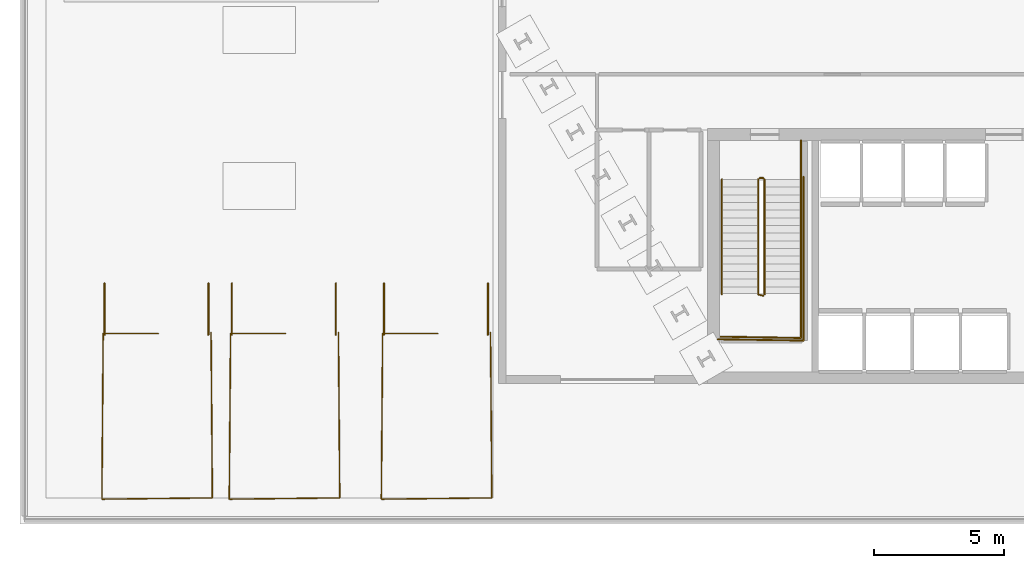
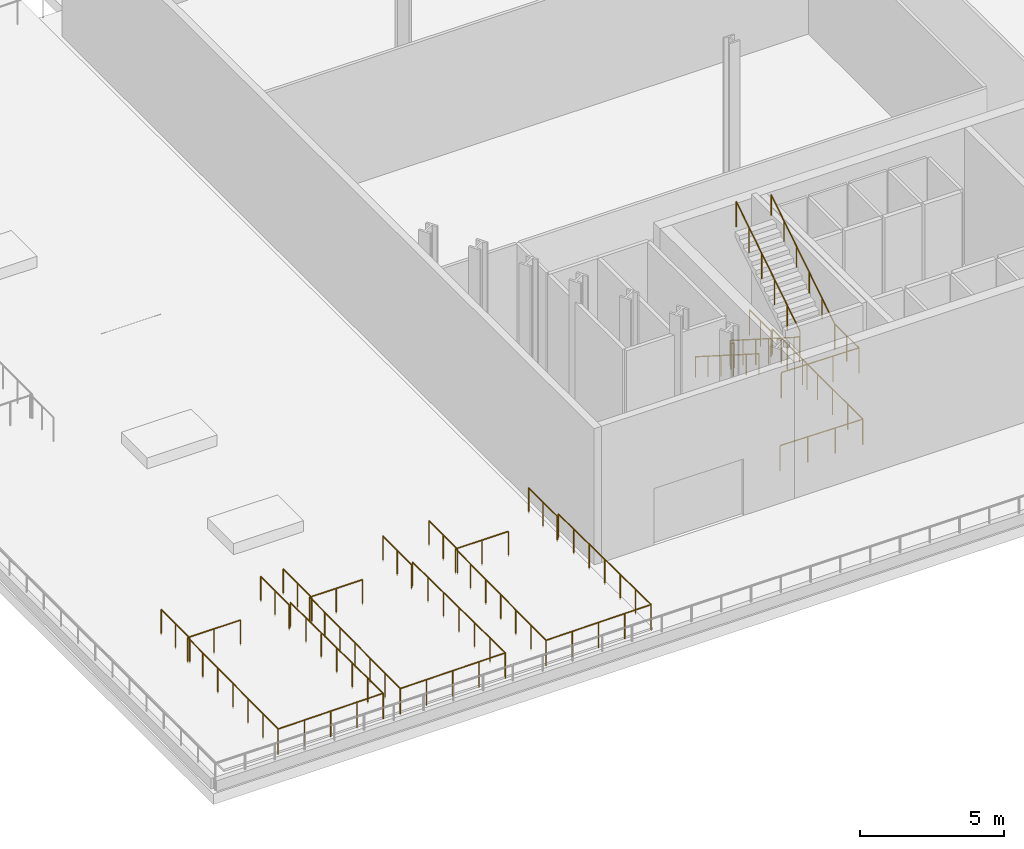
# One storey, part 8 of 13: 17 railings.
"""IFC4 building model written with IfcOpenShell, lengths in metres."""

from ifc_helpers import new_model, si_unit, direction, frame, origin, origin_2d, place, context, subcontext, project, spatial, circle, extrude, material, layer, layer_set, type_object, element, save


model = new_model("IFC4")

# Units and contexts
model_context = context("Model", 3, precision=1e-05, world=origin(), true_north=direction((0.0, 1.0)))
body_context = subcontext(model_context, "Body", "Model", "MODEL_VIEW")
ifc_project = project(units=[si_unit("LENGTHUNIT", "METRE"), si_unit("AREAUNIT", "SQUARE_METRE"), si_unit("VOLUMEUNIT", "CUBIC_METRE"), si_unit("PLANEANGLEUNIT", "RADIAN"), si_unit("MASSUNIT", "GRAM", prefix="KILO")], contexts=[model_context])

# Site, building, storey
site_placement = place(None, origin())
site = spatial("IfcSite", under=ifc_project, at=site_placement, CompositionType="ELEMENT")
building_placement = place(site_placement, origin())
building = spatial("IfcBuilding", under=site, at=building_placement, Name="Ndaravel Arena Tower", CompositionType="ELEMENT")
storey_placement = place(building_placement, frame((0.0, 0.0, 30.0)))
storey = spatial("IfcBuildingStorey", under=building, at=storey_placement, Name="L05", CompositionType="ELEMENT", Elevation=30.0)

# Railings
ifc_material_1 = material(Name="Steel S355", Category="steel")
ifc_layer_1 = layer(ifc_material_1, 0.06005859375)
ifc_layer_set_1 = layer_set([ifc_layer_1], Name="Steel S355")
railing_type_1 = type_object("IfcRailingType", Name="RAIL-STAIR-GD1100", PredefinedType="GUARDRAIL", material=ifc_layer_set_1)
railing_1_placement = place(storey_placement, frame((28.39990234375, 13.25, 0.1875)))
element("IfcRailing", 1, at=railing_1_placement, inside=storey, type_object=railing_type_1, Name="L05 ST-1 stair guard 1", PredefinedType="GUARDRAIL", context=body_context, shape_type="SweptSolid", body=[
    extrude(circle(Radius=0.02392578125, at=origin_2d()), frame((0.0, 0.0, 1.076171875), z_axis=(0.0, -0.843958541447, 0.536408408136), x_axis=(1.0, 0.0, 0.0)), (0.0, 0.0, 1.0), 5.2431640625),
    extrude(circle(Radius=0.02392578125, at=origin_2d()), frame((0.0, -4.425048828125, 3.888671875), z_axis=(0.967074537263, -0.25449329928, 0.0), x_axis=(0.25449329928, 0.967074537263, 0.0)), (0.0, 0.0, 1.0), 0.19677734375),
    extrude(circle(Radius=0.02099609375, at=origin_2d()), origin(), (0.0, 0.0, 1.0), 1.052001953125),
    extrude(circle(Radius=0.02099609375, at=origin_2d()), frame((0.0, -0.885009765625, 0.5625)), (0.0, 0.0, 1.0), 1.052001953125),
    extrude(circle(Radius=0.02099609375, at=origin_2d()), frame((0.0, -1.77001953125, 1.125)), (0.0, 0.0, 1.0), 1.052001953125),
    extrude(circle(Radius=0.02099609375, at=origin_2d()), frame((0.0, -2.655029296875, 1.6875)), (0.0, 0.0, 1.0), 1.052001953125),
    extrude(circle(Radius=0.02099609375, at=origin_2d()), frame((0.0, -3.5400390625, 2.25)), (0.0, 0.0, 1.0), 1.052001953125),
    extrude(circle(Radius=0.02099609375, at=origin_2d()), frame((0.0, -4.425048828125, 2.8125)), (0.0, 0.0, 1.0), 1.052001953125),
    extrude(circle(Radius=0.02099609375, at=origin_2d()), frame((0.190185546875, -4.47509765625, 2.8125)), (0.0, 0.0, 1.0), 1.052001953125),
])
railing_2_placement = place(storey_placement, frame((30.0400390625, 8.824951171875, 3.0)))
element("IfcRailing", 2, at=railing_2_placement, inside=storey, type_object=railing_type_1, Name="L05 ST-1 stair guard 2", PredefinedType="GUARDRAIL", context=body_context, shape_type="SweptSolid", body=[
    extrude(circle(Radius=0.02392578125, at=origin_2d()), frame((0.0, 0.0, 1.076171875), z_axis=(0.0, -1.0, 0.0), x_axis=(1.0, 0.0, 0.0)), (0.0, 0.0, 1.0), 1.675048828125),
    extrude(circle(Radius=0.02392578125, at=origin_2d()), frame((0.0, -1.675048828125, 1.076171875), z_axis=(-0.999868861343, 0.016194447071, 0.0), x_axis=(-0.016194447071, -0.999868861343, 0.0)), (0.0, 0.0, 1.0), 3.090576171875),
    extrude(circle(Radius=0.02099609375, at=origin_2d()), origin(), (0.0, 0.0, 1.0), 1.052001953125),
    extrude(circle(Radius=0.02099609375, at=origin_2d()), frame((0.0, -0.83740234375, 0.0)), (0.0, 0.0, 1.0), 1.052001953125),
    extrude(circle(Radius=0.02099609375, at=origin_2d()), frame((0.0, -1.675048828125, 0.0)), (0.0, 0.0, 1.0), 1.052001953125),
    extrude(circle(Radius=0.02099609375, at=origin_2d()), frame((-1.030029296875, -1.658447265625, 0.0)), (0.0, 0.0, 1.0), 1.052001953125),
    extrude(circle(Radius=0.02099609375, at=origin_2d()), frame((-2.06005859375, -1.6416015625, 0.0)), (0.0, 0.0, 1.0), 1.052001953125),
    extrude(circle(Radius=0.02099609375, at=origin_2d()), frame((-3.090087890625, -1.625, 0.0)), (0.0, 0.0, 1.0), 1.052001953125),
])
railing_3_placement = place(storey_placement, frame((28.639892578125, 8.824951171875, 3.1875)))
element("IfcRailing", 3, at=railing_3_placement, inside=storey, type_object=railing_type_1, Name="L05 ST-1 stair guard 3", PredefinedType="GUARDRAIL", context=body_context, shape_type="SweptSolid", body=[
    extrude(circle(Radius=0.02392578125, at=origin_2d()), frame((0.0, 0.0, 1.076171875), z_axis=(0.0, 0.843958541447, 0.536408408136), x_axis=(-1.0, 0.0, 0.0)), (0.0, 0.0, 1.0), 5.2431640625),
    extrude(circle(Radius=0.02099609375, at=origin_2d()), origin(), (0.0, 0.0, 1.0), 1.052001953125),
    extrude(circle(Radius=0.02099609375, at=origin_2d()), frame((0.0, 0.885009765625, 0.5625)), (0.0, 0.0, 1.0), 1.052001953125),
    extrude(circle(Radius=0.02099609375, at=origin_2d()), frame((0.0, 1.77001953125, 1.125)), (0.0, 0.0, 1.0), 1.052001953125),
    extrude(circle(Radius=0.02099609375, at=origin_2d()), frame((0.0, 2.655029296875, 1.6875)), (0.0, 0.0, 1.0), 1.052001953125),
    extrude(circle(Radius=0.02099609375, at=origin_2d()), frame((0.0, 3.5400390625, 2.25)), (0.0, 0.0, 1.0), 1.052001953125),
    extrude(circle(Radius=0.02099609375, at=origin_2d()), frame((0.0, 4.425048828125, 2.8125)), (0.0, 0.0, 1.0), 1.052001953125),
])
railing_4_placement = place(storey_placement, frame((28.449951171875, 13.300048828125, 0.0)))
element("IfcRailing", 4, at=railing_4_placement, inside=storey, type_object=railing_type_1, Name="L05 ST-1 stair guard 4", PredefinedType="GUARDRAIL", context=body_context, shape_type="SweptSolid", body=[
    extrude(circle(Radius=0.02392578125, at=origin_2d()), frame((0.0, 0.0, 1.076171875), z_axis=(1.0, 0.0, 0.0), x_axis=(0.0, 1.0, 0.0)), (0.0, 0.0, 1.0), 0.14013671875),
    extrude(circle(Radius=0.02099609375, at=origin_2d()), origin(), (0.0, 0.0, 1.0), 1.052001953125),
    extrude(circle(Radius=0.02099609375, at=origin_2d()), frame((0.14013671875, 0.0, 0.0)), (0.0, 0.0, 1.0), 1.052001953125),
])
railing_5_placement = place(storey_placement, frame((30.0400390625, 14.75, 0.0)))
element("IfcRailing", 5, at=railing_5_placement, inside=storey, type_object=railing_type_1, Name="L05 ST-1 stair guard 5", PredefinedType="GUARDRAIL", context=body_context, shape_type="SweptSolid", body=[
    extrude(circle(Radius=0.02392578125, at=origin_2d()), frame((0.0, 0.0, 1.076171875), z_axis=(0.0, -1.0, 0.0), x_axis=(1.0, 0.0, 0.0)), (0.0, 0.0, 1.0), 1.5),
    extrude(circle(Radius=0.02099609375, at=origin_2d()), origin(), (0.0, 0.0, 1.0), 1.052001953125),
    extrude(circle(Radius=0.02099609375, at=origin_2d()), frame((0.0, -0.75, 0.0)), (0.0, 0.0, 1.0), 1.052001953125),
    extrude(circle(Radius=0.02099609375, at=origin_2d()), frame((0.0, -1.5, 0.0)), (0.0, 0.0, 1.0), 1.052001953125),
])
railing_6_placement = place(storey_placement, frame((30.139892578125, 13.35009765625, 0.0)))
element("IfcRailing", 6, at=railing_6_placement, inside=storey, type_object=railing_type_1, Name="L05 ST-1 stair guard 6", PredefinedType="GUARDRAIL", context=body_context, shape_type="SweptSolid", body=[
    extrude(circle(Radius=0.02392578125, at=origin_2d()), frame((0.0, 0.0, 1.076171875), z_axis=(0.0, -1.0, 0.0), x_axis=(1.0, 0.0, 0.0)), (0.0, 0.0, 1.0), 6.300048828125),
    extrude(circle(Radius=0.02392578125, at=origin_2d()), frame((0.0, -6.300048828125, 1.076171875), z_axis=(-0.999884296952, 0.015211597839, 0.0), x_axis=(-0.015211597839, -0.999884296952, 0.0)), (0.0, 0.0, 1.0), 3.290283203125),
    extrude(circle(Radius=0.02099609375, at=origin_2d()), origin(), (0.0, 0.0, 1.0), 1.052001953125),
    extrude(circle(Radius=0.02099609375, at=origin_2d()), frame((0.0, -1.050048828125, 0.0)), (0.0, 0.0, 1.0), 1.052001953125),
    extrude(circle(Radius=0.02099609375, at=origin_2d()), frame((0.0, -2.10009765625, 0.0)), (0.0, 0.0, 1.0), 1.052001953125),
    extrude(circle(Radius=0.02099609375, at=origin_2d()), frame((0.0, -3.14990234375, 0.0)), (0.0, 0.0, 1.0), 1.052001953125),
    extrude(circle(Radius=0.02099609375, at=origin_2d()), frame((0.0, -4.199951171875, 0.0)), (0.0, 0.0, 1.0), 1.052001953125),
    extrude(circle(Radius=0.02099609375, at=origin_2d()), frame((0.0, -5.25, 0.0)), (0.0, 0.0, 1.0), 1.052001953125),
    extrude(circle(Radius=0.02099609375, at=origin_2d()), frame((0.0, -6.300048828125, 0.0)), (0.0, 0.0, 1.0), 1.052001953125),
    extrude(circle(Radius=0.02099609375, at=origin_2d()), frame((-1.0966796875, -6.283447265625, 0.0)), (0.0, 0.0, 1.0), 1.052001953125),
    extrude(circle(Radius=0.02099609375, at=origin_2d()), frame((-2.193115234375, -6.2666015625, 0.0)), (0.0, 0.0, 1.0), 1.052001953125),
    extrude(circle(Radius=0.02099609375, at=origin_2d()), frame((-3.289794921875, -6.25, 0.0)), (0.0, 0.0, 1.0), 1.052001953125),
])
railing_7_placement = place(storey_placement, frame((7.35009765625, 7.3701171875, 0.0)))
element("IfcRailing", 7, at=railing_7_placement, inside=storey, type_object=railing_type_1, Name="L05 ST-A01 top well guard 1", PredefinedType="GUARDRAIL", context=body_context, shape_type="SweptSolid", body=[
    extrude(circle(Radius=0.02392578125, at=origin_2d()), frame((0.0, 0.0, 1.076171875), z_axis=(0.007818249469, -0.999969437021, 0.0), x_axis=(0.999969437021, 0.007818249469, 0.0)), (0.0, 0.0, 1.0), 6.370361328125),
    extrude(circle(Radius=0.02392578125, at=origin_2d()), frame((0.0498046875, -6.3701171875, 1.076171875), z_axis=(-0.999930667828, -0.011775378384, 0.0), x_axis=(0.011775378384, -0.999930667828, 0.0)), (0.0, 0.0, 1.0), 4.250244140625),
    extrude(circle(Radius=0.02392578125, at=origin_2d()), frame((-4.2001953125, -6.420166015625, 1.076171875), z_axis=(0.007856571862, 0.999969136663, 0.0), x_axis=(-0.999969136663, 0.007856571862, 0.0)), (0.0, 0.0, 1.0), 6.370361328125),
    extrude(circle(Radius=0.02392578125, at=origin_2d()), frame((-4.150146484375, -0.050048828125, 1.076171875), z_axis=(1.0, 0.0, 0.0), x_axis=(0.0, 1.0, 0.0)), (0.0, 0.0, 1.0), 2.1201171875),
    extrude(circle(Radius=0.02099609375, at=origin_2d()), origin(), (0.0, 0.0, 1.0), 1.052001953125),
    extrude(circle(Radius=0.02099609375, at=origin_2d()), frame((0.00830078125, -1.061767578125, 0.0)), (0.0, 0.0, 1.0), 1.052001953125),
    extrude(circle(Radius=0.02099609375, at=origin_2d()), frame((0.0166015625, -2.123291015625, 0.0)), (0.0, 0.0, 1.0), 1.052001953125),
    extrude(circle(Radius=0.02099609375, at=origin_2d()), frame((0.02490234375, -3.18505859375, 0.0)), (0.0, 0.0, 1.0), 1.052001953125),
    extrude(circle(Radius=0.02099609375, at=origin_2d()), frame((0.033203125, -4.246826171875, 0.0)), (0.0, 0.0, 1.0), 1.052001953125),
    extrude(circle(Radius=0.02099609375, at=origin_2d()), frame((0.04150390625, -5.308349609375, 0.0)), (0.0, 0.0, 1.0), 1.052001953125),
    extrude(circle(Radius=0.02099609375, at=origin_2d()), frame((0.0498046875, -6.3701171875, 0.0)), (0.0, 0.0, 1.0), 1.052001953125),
    extrude(circle(Radius=0.02099609375, at=origin_2d()), frame((-1.0126953125, -6.382568359375, 0.0)), (0.0, 0.0, 1.0), 1.052001953125),
    extrude(circle(Radius=0.02099609375, at=origin_2d()), frame((-2.0751953125, -6.39501953125, 0.0)), (0.0, 0.0, 1.0), 1.052001953125),
    extrude(circle(Radius=0.02099609375, at=origin_2d()), frame((-3.1376953125, -6.40771484375, 0.0)), (0.0, 0.0, 1.0), 1.052001953125),
    extrude(circle(Radius=0.02099609375, at=origin_2d()), frame((-4.2001953125, -6.420166015625, 0.0)), (0.0, 0.0, 1.0), 1.052001953125),
    extrude(circle(Radius=0.02099609375, at=origin_2d()), frame((-4.19189453125, -5.3583984375, 0.0)), (0.0, 0.0, 1.0), 1.052001953125),
    extrude(circle(Radius=0.02099609375, at=origin_2d()), frame((-4.18359375, -4.296875, 0.0)), (0.0, 0.0, 1.0), 1.052001953125),
    extrude(circle(Radius=0.02099609375, at=origin_2d()), frame((-4.17529296875, -3.235107421875, 0.0)), (0.0, 0.0, 1.0), 1.052001953125),
    extrude(circle(Radius=0.02099609375, at=origin_2d()), frame((-4.166748046875, -2.17333984375, 0.0)), (0.0, 0.0, 1.0), 1.052001953125),
    extrude(circle(Radius=0.02099609375, at=origin_2d()), frame((-4.158447265625, -1.11181640625, 0.0)), (0.0, 0.0, 1.0), 1.052001953125),
    extrude(circle(Radius=0.02099609375, at=origin_2d()), frame((-4.150146484375, -0.050048828125, 0.0)), (0.0, 0.0, 1.0), 1.052001953125),
    extrude(circle(Radius=0.02099609375, at=origin_2d()), frame((-3.090087890625, -0.050048828125, 0.0)), (0.0, 0.0, 1.0), 1.052001953125),
    extrude(circle(Radius=0.02099609375, at=origin_2d()), frame((-2.030029296875, -0.050048828125, 0.0)), (0.0, 0.0, 1.0), 1.052001953125),
])
for number, where, name in (
    (8, (3.25, 9.25, 0.0), "L05 ST-A01 top well guard 2"),
    (9, (7.25, 9.25, 0.0), "L05 ST-A01 top well guard 3"),
):
    element("IfcRailing", number, at=place(storey_placement, frame(where)), inside=storey, type_object=railing_type_1, Name=name, PredefinedType="GUARDRAIL", context=body_context, shape_type="SweptSolid", body=[
        extrude(circle(Radius=0.02392578125, at=origin_2d()), frame((0.0, 0.0, 1.076171875), z_axis=(0.0, -1.0, 0.0), x_axis=(1.0, 0.0, 0.0)), (0.0, 0.0, 1.0), 1.97998046875),
        extrude(circle(Radius=0.02099609375, at=origin_2d()), origin(), (0.0, 0.0, 1.0), 1.052001953125),
        extrude(circle(Radius=0.02099609375, at=origin_2d()), frame((0.0, -0.989990234375, 0.0)), (0.0, 0.0, 1.0), 1.052001953125),
        extrude(circle(Radius=0.02099609375, at=origin_2d()), frame((0.0, -1.97998046875, 0.0)), (0.0, 0.0, 1.0), 1.052001953125),
    ])
railing_8_placement = place(storey_placement, frame((12.25, 7.3701171875, 0.0)))
element("IfcRailing", 10, at=railing_8_placement, inside=storey, type_object=railing_type_1, Name="L05 ST-A02 top well guard 1", PredefinedType="GUARDRAIL", context=body_context, shape_type="SweptSolid", body=[
    extrude(circle(Radius=0.02392578125, at=origin_2d()), frame((0.0, 0.0, 1.076171875), z_axis=(0.007856571862, -0.999969136663, 0.0), x_axis=(0.999969136663, 0.007856571862, 0.0)), (0.0, 0.0, 1.0), 6.370361328125),
    extrude(circle(Radius=0.02392578125, at=origin_2d()), frame((0.050048828125, -6.3701171875, 1.076171875), z_axis=(-0.999930667828, -0.011775378384, 0.0), x_axis=(0.011775378384, -0.999930667828, 0.0)), (0.0, 0.0, 1.0), 4.250244140625),
    extrude(circle(Radius=0.02392578125, at=origin_2d()), frame((-4.199951171875, -6.420166015625, 1.076171875), z_axis=(0.007856571862, 0.999969136663, 0.0), x_axis=(-0.999969136663, 0.007856571862, 0.0)), (0.0, 0.0, 1.0), 6.370361328125),
    extrude(circle(Radius=0.02392578125, at=origin_2d()), frame((-4.14990234375, -0.050048828125, 1.076171875), z_axis=(1.0, 0.0, 0.0), x_axis=(0.0, 1.0, 0.0)), (0.0, 0.0, 1.0), 2.119873046875),
    extrude(circle(Radius=0.02099609375, at=origin_2d()), origin(), (0.0, 0.0, 1.0), 1.052001953125),
    extrude(circle(Radius=0.02099609375, at=origin_2d()), frame((0.00830078125, -1.061767578125, 0.0)), (0.0, 0.0, 1.0), 1.052001953125),
    extrude(circle(Radius=0.02099609375, at=origin_2d()), frame((0.0166015625, -2.123291015625, 0.0)), (0.0, 0.0, 1.0), 1.052001953125),
    extrude(circle(Radius=0.02099609375, at=origin_2d()), frame((0.02490234375, -3.18505859375, 0.0)), (0.0, 0.0, 1.0), 1.052001953125),
    extrude(circle(Radius=0.02099609375, at=origin_2d()), frame((0.033447265625, -4.246826171875, 0.0)), (0.0, 0.0, 1.0), 1.052001953125),
    extrude(circle(Radius=0.02099609375, at=origin_2d()), frame((0.041748046875, -5.308349609375, 0.0)), (0.0, 0.0, 1.0), 1.052001953125),
    extrude(circle(Radius=0.02099609375, at=origin_2d()), frame((0.050048828125, -6.3701171875, 0.0)), (0.0, 0.0, 1.0), 1.052001953125),
    extrude(circle(Radius=0.02099609375, at=origin_2d()), frame((-1.012451171875, -6.382568359375, 0.0)), (0.0, 0.0, 1.0), 1.052001953125),
    extrude(circle(Radius=0.02099609375, at=origin_2d()), frame((-2.074951171875, -6.39501953125, 0.0)), (0.0, 0.0, 1.0), 1.052001953125),
    extrude(circle(Radius=0.02099609375, at=origin_2d()), frame((-3.137451171875, -6.40771484375, 0.0)), (0.0, 0.0, 1.0), 1.052001953125),
    extrude(circle(Radius=0.02099609375, at=origin_2d()), frame((-4.199951171875, -6.420166015625, 0.0)), (0.0, 0.0, 1.0), 1.052001953125),
    extrude(circle(Radius=0.02099609375, at=origin_2d()), frame((-4.191650390625, -5.3583984375, 0.0)), (0.0, 0.0, 1.0), 1.052001953125),
    extrude(circle(Radius=0.02099609375, at=origin_2d()), frame((-4.183349609375, -4.296875, 0.0)), (0.0, 0.0, 1.0), 1.052001953125),
    extrude(circle(Radius=0.02099609375, at=origin_2d()), frame((-4.1748046875, -3.235107421875, 0.0)), (0.0, 0.0, 1.0), 1.052001953125),
    extrude(circle(Radius=0.02099609375, at=origin_2d()), frame((-4.16650390625, -2.17333984375, 0.0)), (0.0, 0.0, 1.0), 1.052001953125),
    extrude(circle(Radius=0.02099609375, at=origin_2d()), frame((-4.158203125, -1.11181640625, 0.0)), (0.0, 0.0, 1.0), 1.052001953125),
    extrude(circle(Radius=0.02099609375, at=origin_2d()), frame((-4.14990234375, -0.050048828125, 0.0)), (0.0, 0.0, 1.0), 1.052001953125),
    extrude(circle(Radius=0.02099609375, at=origin_2d()), frame((-3.08984375, -0.050048828125, 0.0)), (0.0, 0.0, 1.0), 1.052001953125),
    extrude(circle(Radius=0.02099609375, at=origin_2d()), frame((-2.030029296875, -0.050048828125, 0.0)), (0.0, 0.0, 1.0), 1.052001953125),
])
for number, where, name in (
    (11, (8.14990234375, 9.25, 0.0), "L05 ST-A02 top well guard 2"),
    (12, (12.14990234375, 9.25, 0.0), "L05 ST-A02 top well guard 3"),
):
    element("IfcRailing", number, at=place(storey_placement, frame(where)), inside=storey, type_object=railing_type_1, Name=name, PredefinedType="GUARDRAIL", context=body_context, shape_type="SweptSolid", body=[
        extrude(circle(Radius=0.02392578125, at=origin_2d()), frame((0.0, 0.0, 1.076171875), z_axis=(0.0, -1.0, 0.0), x_axis=(1.0, 0.0, 0.0)), (0.0, 0.0, 1.0), 1.97998046875),
        extrude(circle(Radius=0.02099609375, at=origin_2d()), origin(), (0.0, 0.0, 1.0), 1.052001953125),
        extrude(circle(Radius=0.02099609375, at=origin_2d()), frame((0.0, -0.989990234375, 0.0)), (0.0, 0.0, 1.0), 1.052001953125),
        extrude(circle(Radius=0.02099609375, at=origin_2d()), frame((0.0, -1.97998046875, 0.0)), (0.0, 0.0, 1.0), 1.052001953125),
    ])
railing_9_placement = place(storey_placement, frame((18.10009765625, 7.3701171875, 0.0)))
element("IfcRailing", 13, at=railing_9_placement, inside=storey, type_object=railing_type_1, Name="L05 ST-A03 top well guard 1", PredefinedType="GUARDRAIL", context=body_context, shape_type="SweptSolid", body=[
    extrude(circle(Radius=0.02392578125, at=origin_2d()), frame((0.0, 0.0, 1.076171875), z_axis=(0.007818249469, -0.999969437021, 0.0), x_axis=(0.999969437021, 0.007818249469, 0.0)), (0.0, 0.0, 1.0), 6.370361328125),
    extrude(circle(Radius=0.02392578125, at=origin_2d()), frame((0.0498046875, -6.3701171875, 1.076171875), z_axis=(-0.999930667828, -0.011775378384, 0.0), x_axis=(0.011775378384, -0.999930667828, 0.0)), (0.0, 0.0, 1.0), 4.250244140625),
    extrude(circle(Radius=0.02392578125, at=origin_2d()), frame((-4.2001953125, -6.420166015625, 1.076171875), z_axis=(0.007856571862, 0.999969136663, 0.0), x_axis=(-0.999969136663, 0.007856571862, 0.0)), (0.0, 0.0, 1.0), 6.370361328125),
    extrude(circle(Radius=0.02392578125, at=origin_2d()), frame((-4.150146484375, -0.050048828125, 1.076171875), z_axis=(1.0, 0.0, 0.0), x_axis=(0.0, 1.0, 0.0)), (0.0, 0.0, 1.0), 2.1201171875),
    extrude(circle(Radius=0.02099609375, at=origin_2d()), origin(), (0.0, 0.0, 1.0), 1.052001953125),
    extrude(circle(Radius=0.02099609375, at=origin_2d()), frame((0.00830078125, -1.061767578125, 0.0)), (0.0, 0.0, 1.0), 1.052001953125),
    extrude(circle(Radius=0.02099609375, at=origin_2d()), frame((0.0166015625, -2.123291015625, 0.0)), (0.0, 0.0, 1.0), 1.052001953125),
    extrude(circle(Radius=0.02099609375, at=origin_2d()), frame((0.02490234375, -3.18505859375, 0.0)), (0.0, 0.0, 1.0), 1.052001953125),
    extrude(circle(Radius=0.02099609375, at=origin_2d()), frame((0.033203125, -4.246826171875, 0.0)), (0.0, 0.0, 1.0), 1.052001953125),
    extrude(circle(Radius=0.02099609375, at=origin_2d()), frame((0.04150390625, -5.308349609375, 0.0)), (0.0, 0.0, 1.0), 1.052001953125),
    extrude(circle(Radius=0.02099609375, at=origin_2d()), frame((0.0498046875, -6.3701171875, 0.0)), (0.0, 0.0, 1.0), 1.052001953125),
    extrude(circle(Radius=0.02099609375, at=origin_2d()), frame((-1.0126953125, -6.382568359375, 0.0)), (0.0, 0.0, 1.0), 1.052001953125),
    extrude(circle(Radius=0.02099609375, at=origin_2d()), frame((-2.0751953125, -6.39501953125, 0.0)), (0.0, 0.0, 1.0), 1.052001953125),
    extrude(circle(Radius=0.02099609375, at=origin_2d()), frame((-3.1376953125, -6.40771484375, 0.0)), (0.0, 0.0, 1.0), 1.052001953125),
    extrude(circle(Radius=0.02099609375, at=origin_2d()), frame((-4.2001953125, -6.420166015625, 0.0)), (0.0, 0.0, 1.0), 1.052001953125),
    extrude(circle(Radius=0.02099609375, at=origin_2d()), frame((-4.19189453125, -5.3583984375, 0.0)), (0.0, 0.0, 1.0), 1.052001953125),
    extrude(circle(Radius=0.02099609375, at=origin_2d()), frame((-4.18359375, -4.296875, 0.0)), (0.0, 0.0, 1.0), 1.052001953125),
    extrude(circle(Radius=0.02099609375, at=origin_2d()), frame((-4.17529296875, -3.235107421875, 0.0)), (0.0, 0.0, 1.0), 1.052001953125),
    extrude(circle(Radius=0.02099609375, at=origin_2d()), frame((-4.166748046875, -2.17333984375, 0.0)), (0.0, 0.0, 1.0), 1.052001953125),
    extrude(circle(Radius=0.02099609375, at=origin_2d()), frame((-4.158447265625, -1.11181640625, 0.0)), (0.0, 0.0, 1.0), 1.052001953125),
    extrude(circle(Radius=0.02099609375, at=origin_2d()), frame((-4.150146484375, -0.050048828125, 0.0)), (0.0, 0.0, 1.0), 1.052001953125),
    extrude(circle(Radius=0.02099609375, at=origin_2d()), frame((-3.090087890625, -0.050048828125, 0.0)), (0.0, 0.0, 1.0), 1.052001953125),
    extrude(circle(Radius=0.02099609375, at=origin_2d()), frame((-2.030029296875, -0.050048828125, 0.0)), (0.0, 0.0, 1.0), 1.052001953125),
])
for number, where, name in (
    (14, (14.0, 9.25, 0.0), "L05 ST-A03 top well guard 2"),
    (15, (18.0, 9.25, 0.0), "L05 ST-A03 top well guard 3"),
):
    element("IfcRailing", number, at=place(storey_placement, frame(where)), inside=storey, type_object=railing_type_1, Name=name, PredefinedType="GUARDRAIL", context=body_context, shape_type="SweptSolid", body=[
        extrude(circle(Radius=0.02392578125, at=origin_2d()), frame((0.0, 0.0, 1.076171875), z_axis=(0.0, -1.0, 0.0), x_axis=(1.0, 0.0, 0.0)), (0.0, 0.0, 1.0), 1.97998046875),
        extrude(circle(Radius=0.02099609375, at=origin_2d()), origin(), (0.0, 0.0, 1.0), 1.052001953125),
        extrude(circle(Radius=0.02099609375, at=origin_2d()), frame((0.0, -0.989990234375, 0.0)), (0.0, 0.0, 1.0), 1.052001953125),
        extrude(circle(Radius=0.02099609375, at=origin_2d()), frame((0.0, -1.97998046875, 0.0)), (0.0, 0.0, 1.0), 1.052001953125),
    ])
ifc_material_2 = material(Name="Steel S355", Category="steel")
ifc_layer_2 = layer(ifc_material_2, 0.050048828125)
ifc_layer_set_2 = layer_set([ifc_layer_2], Name="Steel S355")
railing_type_2 = type_object("IfcRailingType", Name="RAIL-STAIR-HR920", PredefinedType="HANDRAIL", material=ifc_layer_set_2)
railing_10_placement = place(storey_placement, frame((27.0, 13.25, 0.1875)))
element("IfcRailing", 16, at=railing_10_placement, inside=storey, type_object=railing_type_2, Name="L05 ST-1 stair handrail 1", PredefinedType="HANDRAIL", context=body_context, shape_type="SweptSolid", body=[
    extrude(circle(Radius=0.02392578125, at=origin_2d()), frame((0.0, 0.0, 0.8759765625), z_axis=(0.0, -0.843958541447, 0.536408408136), x_axis=(1.0, 0.0, 0.0)), (0.0, 0.0, 1.0), 5.2431640625),
    extrude(circle(Radius=0.02099609375, at=origin_2d()), origin(), (0.0, 0.0, 1.0), 0.851806640625),
    extrude(circle(Radius=0.02099609375, at=origin_2d()), frame((0.0, -0.885009765625, 0.5625)), (0.0, 0.0, 1.0), 0.851806640625),
    extrude(circle(Radius=0.02099609375, at=origin_2d()), frame((0.0, -1.77001953125, 1.125)), (0.0, 0.0, 1.0), 0.851806640625),
    extrude(circle(Radius=0.02099609375, at=origin_2d()), frame((0.0, -2.655029296875, 1.6875)), (0.0, 0.0, 1.0), 0.851806640625),
    extrude(circle(Radius=0.02099609375, at=origin_2d()), frame((0.0, -3.5400390625, 2.25)), (0.0, 0.0, 1.0), 0.851806640625),
    extrude(circle(Radius=0.02099609375, at=origin_2d()), frame((0.0, -4.425048828125, 2.8125)), (0.0, 0.0, 1.0), 0.851806640625),
])
railing_11_placement = place(storey_placement, frame((30.0400390625, 8.824951171875, 3.1875)))
element("IfcRailing", 17, at=railing_11_placement, inside=storey, type_object=railing_type_2, Name="L05 ST-1 stair handrail 2", PredefinedType="HANDRAIL", context=body_context, shape_type="SweptSolid", body=[
    extrude(circle(Radius=0.02392578125, at=origin_2d()), frame((0.0, 0.0, 0.8759765625), z_axis=(0.0, 0.843958541447, 0.536408408136), x_axis=(-1.0, 0.0, 0.0)), (0.0, 0.0, 1.0), 5.2431640625),
    extrude(circle(Radius=0.02099609375, at=origin_2d()), origin(), (0.0, 0.0, 1.0), 0.851806640625),
    extrude(circle(Radius=0.02099609375, at=origin_2d()), frame((0.0, 0.885009765625, 0.5625)), (0.0, 0.0, 1.0), 0.851806640625),
    extrude(circle(Radius=0.02099609375, at=origin_2d()), frame((0.0, 1.77001953125, 1.125)), (0.0, 0.0, 1.0), 0.851806640625),
    extrude(circle(Radius=0.02099609375, at=origin_2d()), frame((0.0, 2.655029296875, 1.6875)), (0.0, 0.0, 1.0), 0.851806640625),
    extrude(circle(Radius=0.02099609375, at=origin_2d()), frame((0.0, 3.5400390625, 2.25)), (0.0, 0.0, 1.0), 0.851806640625),
    extrude(circle(Radius=0.02099609375, at=origin_2d()), frame((0.0, 4.425048828125, 2.8125)), (0.0, 0.0, 1.0), 0.851806640625),
])

save(model, "model.ifc")
